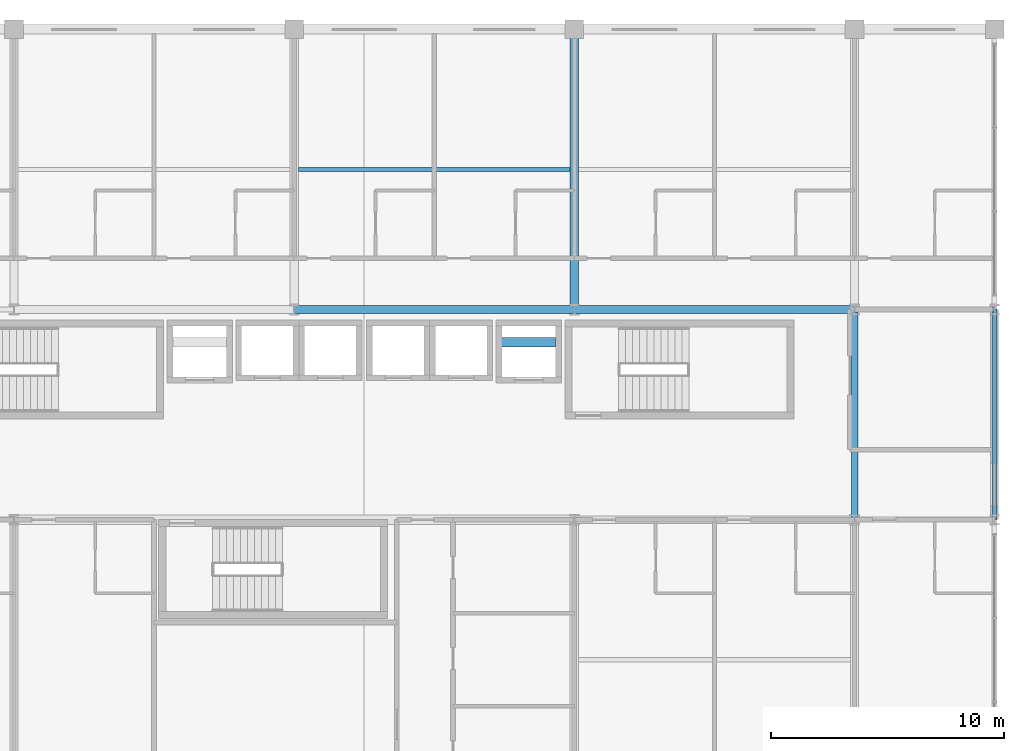
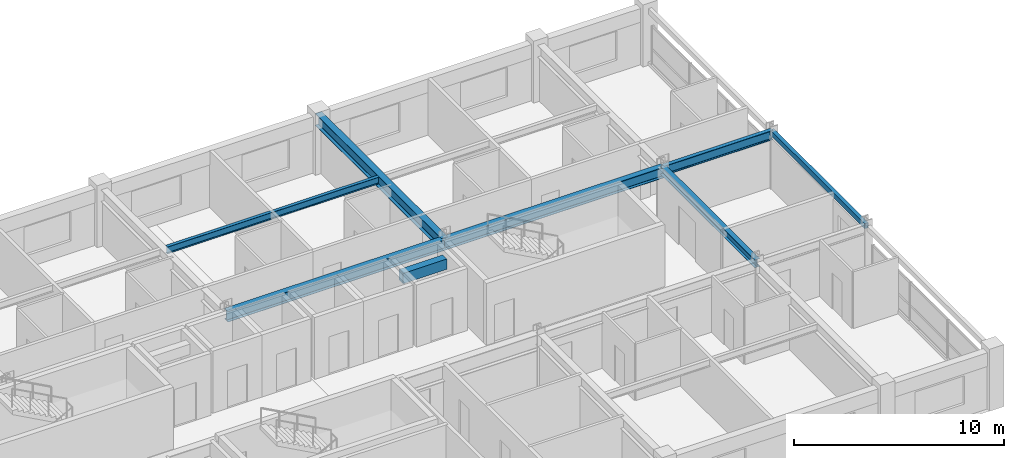
# One storey, part 13 of 26: 8 beams.
"""IFC4 building model written with IfcOpenShell, lengths in metres."""

from ifc_helpers import new_model, si_unit, direction, frame, origin, origin_2d, place, context, subcontext, project, spatial, rectangle, hollow_rectangle, i_section, extrude, material, material_profile, profile_set, type_object, element, save


model = new_model("IFC4")

# Units and contexts
model_context = context("Model", 3, precision=1e-05, world=origin(), true_north=direction((0.0, 1.0)))
body_context = subcontext(model_context, "Body", "Model", "MODEL_VIEW")
ifc_project = project(units=[si_unit("LENGTHUNIT", "METRE"), si_unit("AREAUNIT", "SQUARE_METRE"), si_unit("VOLUMEUNIT", "CUBIC_METRE"), si_unit("PLANEANGLEUNIT", "RADIAN"), si_unit("MASSUNIT", "GRAM", prefix="KILO")], contexts=[model_context])

# Site, building, storey
site_placement = place(None, origin())
site = spatial("IfcSite", under=ifc_project, at=site_placement, CompositionType="ELEMENT")
building_placement = place(site_placement, origin())
building = spatial("IfcBuilding", under=site, at=building_placement, Name="Kaldorvane Square Convention Centre", CompositionType="ELEMENT")
storey_placement = place(building_placement, frame((0.0, 0.0, 45.600006103515625)))
storey = spatial("IfcBuildingStorey", under=building, at=storey_placement, Name="L10", CompositionType="ELEMENT", Elevation=45.600006103515625)

# Beams
ifc_material_1 = material(Name="Steel ASTM A992 Gr. 50", Category="steel")
ifc_material_profile_1 = material_profile(ifc_material_1, i_section(OverallWidth=0.213897705078125, OverallDepth=0.549102783203125, WebThickness=0.0146942138671875, FlangeThickness=0.0236053466796875, FilletRadius=0.0126953125, at=origin_2d()), Name="W21X93")
ifc_profile_set_1 = profile_set([ifc_material_profile_1], Name="Steel ASTM A992 Gr. 50")
beam_type_1 = type_object("IfcBeamType", Name="BM-GR-W21X93", PredefinedType="BEAM", material=ifc_profile_set_1)
beam_1_placement = place(storey_placement, frame((78.0, 105.0, 3.0114898681640625), z_axis=(1.0, 0.0, 0.0), x_axis=(0.0, 1.0, 0.0)))
element("IfcBeam", 1, at=beam_1_placement, inside=storey, type_object=beam_type_1, Name="Primary Girder (L10)", PredefinedType="BEAM", context=body_context, shape_type="SweptSolid", body=[
    extrude(i_section(OverallWidth=0.213897705078125, OverallDepth=0.549102783203125, WebThickness=0.0146942138671875, FlangeThickness=0.0236053466796875, FilletRadius=0.0126953125, at=origin_2d()), origin(), (0.0, 0.0, 1.0), 6.0),
])
ifc_material_profile_2 = material_profile(ifc_material_1, i_section(OverallWidth=0.326507568359375, OverallDepth=0.621795654296875, WebThickness=0.0153961181640625, FlangeThickness=0.0243988037109375, FilletRadius=0.0126953125, at=origin_2d()), Name="W24X131")
ifc_profile_set_2 = profile_set([ifc_material_profile_2], Name="Steel ASTM A992 Gr. 50")
beam_type_2 = type_object("IfcBeamType", Name="BM-GR-W24X131", PredefinedType="BEAM", material=ifc_profile_set_2)
for number, where, z_axis, x_axis, name in (
    (2, (54.0, 105.0, 2.97509765625), (1.0, 0.0, 0.0), (0.0, 1.0, 0.0), "Primary Girder (L10)"),
    (3, (66.0, 105.0, 2.97509765625), (1.0, 0.0, 0.0), (0.0, 1.0, 0.0), "Primary Girder (L10)"),
):
    element("IfcBeam", number, at=place(storey_placement, frame(where, z_axis=z_axis, x_axis=x_axis)), inside=storey, type_object=beam_type_2, Name=name, PredefinedType="BEAM", context=body_context, shape_type="SweptSolid", body=[
        extrude(i_section(OverallWidth=0.326507568359375, OverallDepth=0.621795654296875, WebThickness=0.0153961181640625, FlangeThickness=0.0243988037109375, FilletRadius=0.0126953125, at=origin_2d()), origin(), (0.0, 0.0, 1.0), 12.0),
    ])
ifc_material_profile_3 = material_profile(ifc_material_1, i_section(OverallWidth=0.354705810546875, OverallDepth=0.69549560546875, WebThickness=0.0153961181640625, FlangeThickness=0.0251007080078125, FilletRadius=0.01519775390625, at=origin_2d()), Name="W27X146")
ifc_profile_set_3 = profile_set([ifc_material_profile_3], Name="Steel ASTM A992 Gr. 50")
beam_type_3 = type_object("IfcBeamType", Name="BM-GR-W27X146", PredefinedType="BEAM", material=ifc_profile_set_3)
beam_2_placement = place(storey_placement, frame((66.0, 105.0, 2.93829345703125), z_axis=(0.0, 1.0, 0.0), x_axis=(-1.0, 0.0, 0.0)))
element("IfcBeam", 4, at=beam_2_placement, inside=storey, type_object=beam_type_3, Name="Transverse Girder (L10)", PredefinedType="BEAM", context=body_context, shape_type="SweptSolid", body=[
    extrude(i_section(OverallWidth=0.354705810546875, OverallDepth=0.69549560546875, WebThickness=0.0153961181640625, FlangeThickness=0.0251007080078125, FilletRadius=0.01519775390625, at=origin_2d()), origin(), (0.0, 0.0, 1.0), 12.0),
])
ifc_material_profile_4 = material_profile(ifc_material_1, i_section(OverallWidth=0.177398681640625, OverallDepth=0.403106689453125, WebThickness=0.00750732421875, FlangeThickness=0.010894775390625, FilletRadius=0.01019287109375, at=origin_2d()), Name="W16X36")
ifc_profile_set_4 = profile_set([ifc_material_profile_4], Name="Steel ASTM A992 Gr. 50")
beam_type_4 = type_object("IfcBeamType", Name="BM-JS-W16X36", PredefinedType="JOIST", material=ifc_profile_set_4)
beam_3_placement = place(storey_placement, frame((54.17730712890625, 111.0, 3.0844879150390625), z_axis=(1.0, 0.0, 0.0), x_axis=(0.0, 1.0, 0.0)))
element("IfcBeam", 5, at=beam_3_placement, inside=storey, type_object=beam_type_4, Name="Secondary Floor Joist (L10)", PredefinedType="JOIST", context=body_context, shape_type="SweptSolid", body=[
    extrude(i_section(OverallWidth=0.177398681640625, OverallDepth=0.403106689453125, WebThickness=0.00750732421875, FlangeThickness=0.010894775390625, FilletRadius=0.01019287109375, at=origin_2d()), origin(), (0.0, 0.0, 1.0), 11.645294189453125),
])
ifc_material_profile_5 = material_profile(ifc_material_1, i_section(OverallWidth=0.2799072265625, OverallDepth=0.462799072265625, WebThickness=0.01080322265625, FlangeThickness=0.017303466796875, FilletRadius=0.01019287109375, at=origin_2d()), Name="W18X76")
ifc_profile_set_5 = profile_set([ifc_material_profile_5], Name="Steel ASTM A992 Gr. 50")
beam_type_5 = type_object("IfcBeamType", Name="BM-JS-W18X76", PredefinedType="JOIST", material=ifc_profile_set_5)
beam_4_placement = place(storey_placement, frame((78.0, 96.0, 3.054595947265625), z_axis=(0.0, 1.0, 0.0), x_axis=(-1.0, 0.0, 0.0)))
element("IfcBeam", 6, at=beam_4_placement, inside=storey, type_object=beam_type_5, Name="Transverse Girder (L10)", PredefinedType="JOIST", context=body_context, shape_type="SweptSolid", body=[
    extrude(i_section(OverallWidth=0.2799072265625, OverallDepth=0.462799072265625, WebThickness=0.01080322265625, FlangeThickness=0.017303466796875, FilletRadius=0.01019287109375, at=origin_2d()), origin(), (0.0, 0.0, 1.0), 9.0),
])
ifc_material_2 = material(Name="Concrete f'c = 42 MPa (Normalweight)", Category="concrete")
ifc_material_profile_6 = material_profile(ifc_material_2, rectangle(XDim=0.399993896484375, YDim=0.600006103515625, at=origin_2d()), Name="RCLN600X400")
ifc_profile_set_6 = profile_set([ifc_material_profile_6], Name="Concrete f'c = 42 MPa (Normalweight)")
beam_type_6 = type_object("IfcBeamType", Name="BM-LN-RC600", PredefinedType="LINTEL", material=ifc_profile_set_6)
beam_5_placement = place(storey_placement, frame((62.80000305175781, 103.60000610351562, 2.9879913330078125), z_axis=(1.0, 0.0, 0.0), x_axis=(0.0, 1.0, 0.0)))
element("IfcBeam", 7, at=beam_5_placement, inside=storey, type_object=beam_type_6, Name="Core Coupling Lintel E (L10)", PredefinedType="LINTEL", context=body_context, shape_type="SweptSolid", body=[
    extrude(rectangle(XDim=0.399993896484375, YDim=0.600006103515625, at=origin_2d()), origin(), (0.0, 0.0, 1.0), 2.399993896484375),
])
ifc_material_3 = material(Name="Steel ASTM A500 Gr. C", Category="steel")
ifc_material_profile_7 = material_profile(ifc_material_3, hollow_rectangle(XDim=0.2032012939453125, YDim=0.3047943115234375, WallThickness=0.0088958740234375, at=origin_2d()), Name="HSS12X8X3/8")
ifc_profile_set_7 = profile_set([ifc_material_profile_7], Name="Steel ASTM A500 Gr. C")
beam_type_7 = type_object("IfcBeamType", Name="BM-SP-HSS12", PredefinedType="SPANDREL", material=ifc_profile_set_7)
beam_6_placement = place(storey_placement, frame((84.0, 96.0, 3.1335906982421875), z_axis=(0.0, 1.0, 0.0), x_axis=(-1.0, 0.0, 0.0)))
element("IfcBeam", 8, at=beam_6_placement, inside=storey, type_object=beam_type_7, Name="End Spandrel (L10)", PredefinedType="SPANDREL", context=body_context, shape_type="SweptSolid", body=[
    extrude(hollow_rectangle(XDim=0.2032012939453125, YDim=0.3047943115234375, WallThickness=0.0088958740234375, at=origin_2d()), origin(), (0.0, 0.0, 1.0), 9.0),
])

save(model, "model.ifc")
